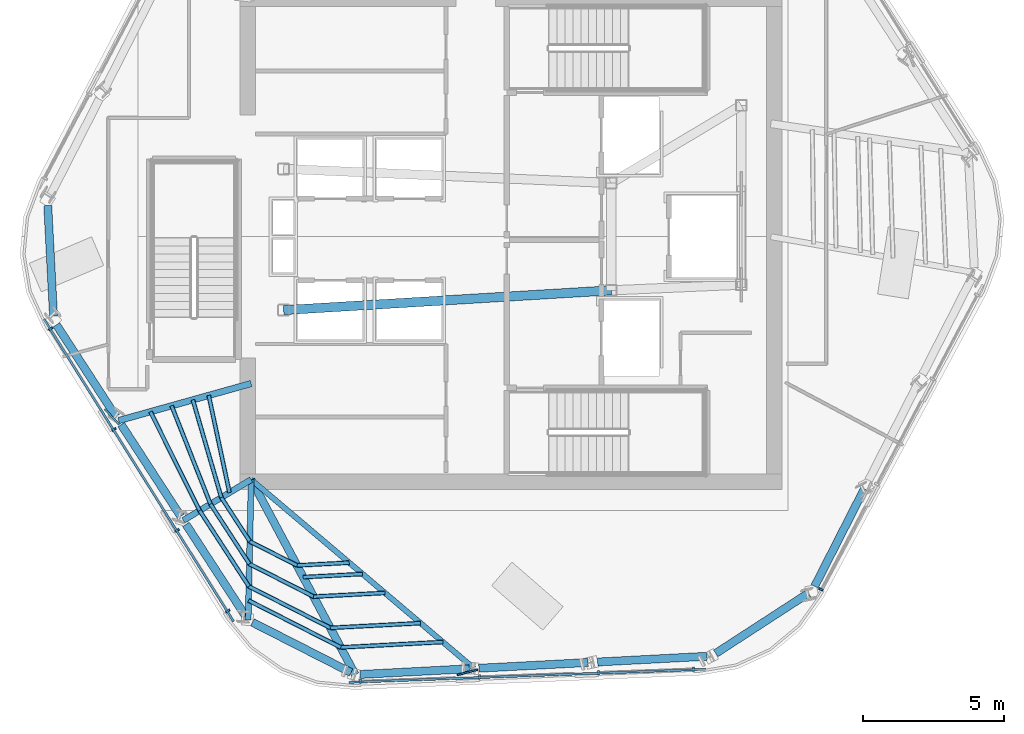
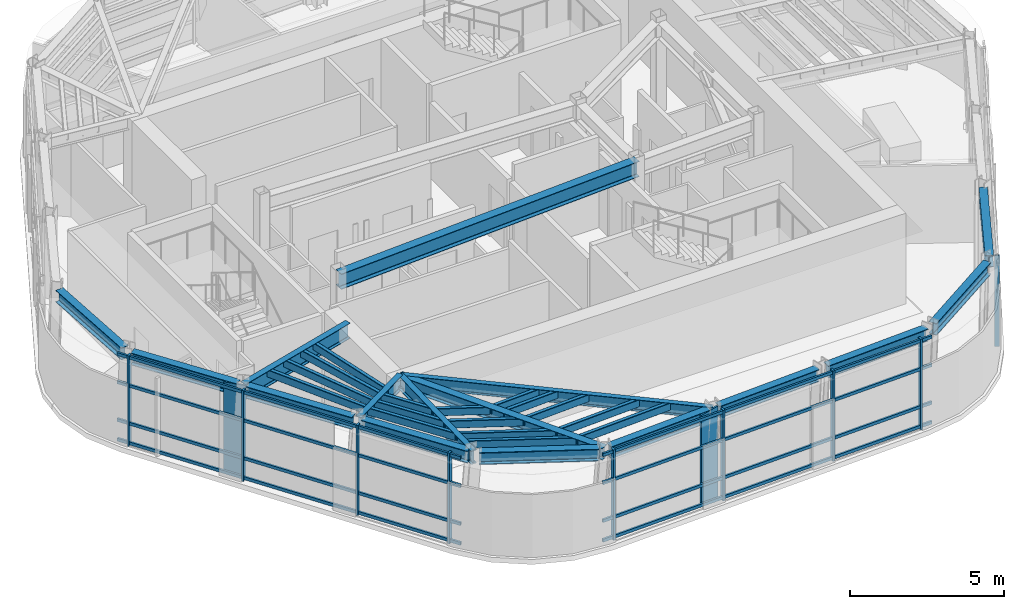
# One storey, part 2 of 13: 35 members, 16 beams, 3 elements without a shape of their own.
"""IFC4 building model written with IfcOpenShell, lengths in metres."""

from ifc_helpers import new_model, si_unit, direction, frame, origin, origin_2d, place, context, subcontext, project, spatial, rectangle, hollow_rectangle, i_section, extrude, material, layer, layer_set, material_profile, profile_set, type_object, element, aggregate, save


model = new_model("IFC4")

# Units and contexts
model_context = context("Model", 3, precision=1e-05, world=origin(), true_north=direction((0.0, 1.0)))
body_context = subcontext(model_context, "Body", "Model", "MODEL_VIEW")
ifc_project = project(units=[si_unit("LENGTHUNIT", "METRE"), si_unit("AREAUNIT", "SQUARE_METRE"), si_unit("VOLUMEUNIT", "CUBIC_METRE"), si_unit("PLANEANGLEUNIT", "RADIAN"), si_unit("MASSUNIT", "GRAM", prefix="KILO")], contexts=[model_context])

# Site, building, storey
site_placement = place(None, origin())
site = spatial("IfcSite", under=ifc_project, at=site_placement, CompositionType="ELEMENT")
building_placement = place(site_placement, origin())
building = spatial("IfcBuilding", under=site, at=building_placement, Name="Valkerne Bourse Tower", CompositionType="ELEMENT")
storey_placement = place(building_placement, frame((0.0, 0.0, 292.60009765625)))
storey = spatial("IfcBuildingStorey", under=building, at=storey_placement, Name="L74", CompositionType="ELEMENT", Elevation=292.60009765625)

# Beams
ifc_material_1 = material(Name="Steel ASTM A992", Category="steel")
ifc_material_profile_1 = material_profile(ifc_material_1, i_section(OverallWidth=0.284423828125, OverallDepth=0.47509765625, WebThickness=0.014892578125, FlangeThickness=0.02392578125, FilletRadius=0.017822265625, at=origin_2d()), Name="W18X106")
ifc_profile_set_1 = profile_set([ifc_material_profile_1], Name="Steel ASTM A992")
beam_type_1 = type_object("IfcBeamType", Name="BM-W18X106", PredefinedType="BEAM", material=ifc_profile_set_1)
beam_1_placement = place(storey_placement, frame((30.3984375, 28.100830078125, 3.3623046875), z_axis=(0.05231338486, -0.998630717415, 0.0), x_axis=(0.998630717415, 0.05231338486, 0.0)))
element("IfcBeam", 1, at=beam_1_placement, inside=storey, type_object=beam_type_1, Name="L74 Hexagonal Spandrel Ring Beam 07", PredefinedType="BEAM", context=body_context, shape_type="SweptSolid", body=[
    extrude(i_section(OverallWidth=0.284423828125, OverallDepth=0.47509765625, WebThickness=0.014892578125, FlangeThickness=0.02392578125, FilletRadius=0.017822265625, at=origin_2d()), origin(), (0.0, 0.0, 1.0), 3.91552734375),
])
for number, where, z_axis, x_axis, name in (
    (2, (30.704833984375, 23.87841796875, 3.3623046875), (0.544649217695, -0.838663955148, 0.0), (0.838663955148, 0.544649217695, 0.0), "L74 Hexagonal Spandrel Ring Beam 08"),
    (3, (32.998779296875, 20.345703125, 3.3623046875), (0.544649217695, -0.838663955148, 0.0), (0.838663955148, 0.544649217695, 0.0), "L74 Hexagonal Spandrel Ring Beam 09"),
):
    element("IfcBeam", number, at=place(storey_placement, frame(where, z_axis=z_axis, x_axis=x_axis)), inside=storey, type_object=beam_type_1, Name=name, PredefinedType="BEAM", context=body_context, shape_type="SweptSolid", body=[
        extrude(i_section(OverallWidth=0.284423828125, OverallDepth=0.47509765625, WebThickness=0.014892578125, FlangeThickness=0.02392578125, FilletRadius=0.017822265625, at=origin_2d()), origin(), (0.0, 0.0, 1.0), 3.8720703125),
    ])
beam_2_placement = place(storey_placement, frame((35.29296875, 16.813232421875, 3.3623046875), z_axis=(0.544604866839, -0.838692756029, 0.0), x_axis=(0.838692756029, 0.544604866839, 0.0)))
element("IfcBeam", 4, at=beam_2_placement, inside=storey, type_object=beam_type_1, Name="L74 Hexagonal Spandrel Ring Beam 10", PredefinedType="BEAM", context=body_context, shape_type="SweptSolid", body=[
    extrude(i_section(OverallWidth=0.284423828125, OverallDepth=0.47509765625, WebThickness=0.014892578125, FlangeThickness=0.02392578125, FilletRadius=0.017822265625, at=origin_2d()), origin(), (0.0, 0.0, 1.0), 3.871826171875),
])
beam_3_placement = place(storey_placement, frame((37.645751953125, 13.34619140625, 3.3623046875), z_axis=(0.891009517334, -0.453984625312, 0.0), x_axis=(0.453984625312, 0.891009517334, 0.0)))
element("IfcBeam", 5, at=beam_3_placement, inside=storey, type_object=beam_type_1, Name="L74 Hexagonal Spandrel Ring Beam 11", PredefinedType="BEAM", context=body_context, shape_type="SweptSolid", body=[
    extrude(i_section(OverallWidth=0.284423828125, OverallDepth=0.47509765625, WebThickness=0.014892578125, FlangeThickness=0.02392578125, FilletRadius=0.017822265625, at=origin_2d()), origin(), (0.0, 0.0, 1.0), 3.91552734375),
])
for number, where, z_axis, x_axis, name in (
    (6, (41.455810546875, 11.500244140625, 3.3623046875), (0.998629648141, 0.052333792648, 0.0), (-0.052333792648, 0.998629648141, 0.0), "L74 Hexagonal Spandrel Ring Beam 12"),
    (7, (45.662109375, 11.720703125, 3.3623046875), (0.998629648141, 0.052333792648, 0.0), (-0.052333792648, 0.998629648141, 0.0), "L74 Hexagonal Spandrel Ring Beam 13"),
    (8, (49.868408203125, 11.941162109375, 3.3623046875), (0.998629648141, 0.052333792648, 0.0), (-0.052333792648, 0.998629648141, 0.0), "L74 Hexagonal Spandrel Ring Beam 14"),
):
    element("IfcBeam", number, at=place(storey_placement, frame(where, z_axis=z_axis, x_axis=x_axis)), inside=storey, type_object=beam_type_1, Name=name, PredefinedType="BEAM", context=body_context, shape_type="SweptSolid", body=[
        extrude(i_section(OverallWidth=0.284423828125, OverallDepth=0.47509765625, WebThickness=0.014892578125, FlangeThickness=0.02392578125, FilletRadius=0.017822265625, at=origin_2d()), origin(), (0.0, 0.0, 1.0), 3.8720703125),
    ])
beam_4_placement = place(storey_placement, frame((54.04736328125, 12.245361328125, 3.3623046875), z_axis=(0.838675738052, 0.544631073666, 0.0), x_axis=(-0.544631073666, 0.838675738052, 0.0)))
element("IfcBeam", 9, at=beam_4_placement, inside=storey, type_object=beam_type_1, Name="L74 Hexagonal Spandrel Ring Beam 15", PredefinedType="BEAM", context=body_context, shape_type="SweptSolid", body=[
    extrude(i_section(OverallWidth=0.284423828125, OverallDepth=0.47509765625, WebThickness=0.014892578125, FlangeThickness=0.02392578125, FilletRadius=0.017822265625, at=origin_2d()), origin(), (0.0, 0.0, 1.0), 3.91552734375),
])
beam_5_placement = place(storey_placement, frame((57.551025390625, 14.6220703125, 3.3623046875), z_axis=(0.453985287381, 0.891009179998, 0.0), x_axis=(-0.891009179998, 0.453985287381, 0.0)))
element("IfcBeam", 10, at=beam_5_placement, inside=storey, type_object=beam_type_1, Name="L74 Hexagonal Spandrel Ring Beam 16", PredefinedType="BEAM", context=body_context, shape_type="SweptSolid", body=[
    extrude(i_section(OverallWidth=0.284423828125, OverallDepth=0.47509765625, WebThickness=0.014892578125, FlangeThickness=0.02392578125, FilletRadius=0.017822265625, at=origin_2d()), origin(), (0.0, 0.0, 1.0), 3.8720703125),
])
ifc_material_profile_2 = material_profile(ifc_material_1, i_section(OverallWidth=0.1904296875, OverallDepth=0.457275390625, WebThickness=0.009033203125, FlangeThickness=0.014404296875, FilletRadius=0.01513671875, at=origin_2d()), Name="W18X50")
ifc_profile_set_2 = profile_set([ifc_material_profile_2], Name="Steel ASTM A992")
beam_type_2 = type_object("IfcBeamType", Name="BM-W18X50", PredefinedType="JOIST", material=ifc_profile_set_2)
beam_6_placement = place(storey_placement, frame((45.4921875, 11.7119140625, 3.371337890625), z_axis=(-0.762906254384, 0.646509123696, 0.0), x_axis=(-0.646509123696, -0.762906254384, 0.0)))
element("IfcBeam", 11, at=beam_6_placement, inside=storey, type_object=beam_type_2, Name="L74 Radial Composite Floor Beam 13", PredefinedType="JOIST", context=body_context, shape_type="SweptSolid", body=[
    extrude(i_section(OverallWidth=0.1904296875, OverallDepth=0.457275390625, WebThickness=0.009033203125, FlangeThickness=0.014404296875, FilletRadius=0.01513671875, at=origin_2d()), origin(), (0.0, 0.0, 1.0), 10.3447265625),
])
ifc_material_profile_3 = material_profile(ifc_material_1, i_section(OverallWidth=0.279296875, OverallDepth=0.46240234375, WebThickness=0.0107421875, FlangeThickness=0.017333984375, FilletRadius=0.017822265625, at=origin_2d()), Name="W18X76")
ifc_profile_set_3 = profile_set([ifc_material_profile_3], Name="Steel ASTM A992")
beam_type_3 = type_object("IfcBeamType", Name="BM-W18X76", PredefinedType="BEAM", material=ifc_profile_set_3)
beam_7_placement = place(storey_placement, frame((41.2861328125, 11.491455078125, 3.36865234375), z_axis=(-0.470740347234, 0.882271797966, 0.0), x_axis=(-0.882271797966, -0.470740347234, 0.0)))
element("IfcBeam", 12, at=beam_7_placement, inside=storey, type_object=beam_type_3, Name="L74 Radial Composite Floor Beam 12", PredefinedType="BEAM", context=body_context, shape_type="SweptSolid", body=[
    extrude(i_section(OverallWidth=0.279296875, OverallDepth=0.46240234375, WebThickness=0.0107421875, FlangeThickness=0.017333984375, FilletRadius=0.017822265625, at=origin_2d()), origin(), (0.0, 0.0, 1.0), 7.830322265625),
])
ifc_material_profile_4 = material_profile(ifc_material_1, i_section(OverallWidth=0.209228515625, OverallDepth=0.533447265625, WebThickness=0.01025390625, FlangeThickness=0.015625, FilletRadius=0.017822265625, at=origin_2d()), Name="W21X62")
ifc_profile_set_4 = profile_set([ifc_material_profile_4], Name="Steel ASTM A992")
beam_type_4 = type_object("IfcBeamType", Name="BM-W21X62", PredefinedType="JOIST", material=ifc_profile_set_4)
beam_8_placement = place(storey_placement, frame((37.494384765625, 13.42333984375, 3.333251953125), z_axis=(0.021237359791, 0.999774461841, 0.0), x_axis=(-0.999774461841, 0.021237359791, 0.0)))
element("IfcBeam", 13, at=beam_8_placement, inside=storey, type_object=beam_type_4, Name="L74 Radial Composite Floor Beam 11", PredefinedType="JOIST", context=body_context, shape_type="SweptSolid", body=[
    extrude(i_section(OverallWidth=0.209228515625, OverallDepth=0.533447265625, WebThickness=0.01025390625, FlangeThickness=0.015625, FilletRadius=0.017822265625, at=origin_2d()), origin(), (0.0, 0.0, 1.0), 4.977783203125),
])
ifc_material_profile_5 = material_profile(ifc_material_1, i_section(OverallWidth=0.2138671875, OverallDepth=0.548583984375, WebThickness=0.0146484375, FlangeThickness=0.023681640625, FilletRadius=0.017822265625, at=origin_2d()), Name="W21X93")
ifc_profile_set_5 = profile_set([ifc_material_profile_5], Name="Steel ASTM A992")
beam_type_5 = type_object("IfcBeamType", Name="BM-W21X93", PredefinedType="BEAM", material=ifc_profile_set_5)
beam_9_placement = place(storey_placement, frame((35.2001953125, 16.955810546875, 3.32568359375), z_axis=(0.856838490992, 0.515584910907, 0.0), x_axis=(-0.515584910907, 0.856838490992, 0.0)))
element("IfcBeam", 14, at=beam_9_placement, inside=storey, type_object=beam_type_5, Name="L74 Radial Composite Floor Beam 10", PredefinedType="BEAM", context=body_context, shape_type="SweptSolid", body=[
    extrude(i_section(OverallWidth=0.2138671875, OverallDepth=0.548583984375, WebThickness=0.0146484375, FlangeThickness=0.023681640625, FilletRadius=0.017822265625, at=origin_2d()), origin(), (0.0, 0.0, 1.0), 2.80078125),
])
ifc_material_profile_6 = material_profile(ifc_material_1, i_section(OverallWidth=0.3251953125, OverallDepth=0.612060546875, WebThickness=0.0126953125, FlangeThickness=0.01904296875, FilletRadius=0.020263671875, at=origin_2d()), Name="W24X104")
ifc_profile_set_6 = profile_set([ifc_material_profile_6], Name="Steel ASTM A992")
beam_type_6 = type_object("IfcBeamType", Name="BM-W24X104", PredefinedType="BEAM", material=ifc_profile_set_6)
beam_10_placement = place(storey_placement, frame((38.75, 24.39990234375, 3.293701171875), z_axis=(0.998183228389, 0.060251494276, 0.0), x_axis=(-0.060251494276, 0.998183228389, 0.0)))
element("IfcBeam", 15, at=beam_10_placement, inside=storey, type_object=beam_type_6, Name="L74 Core Frame Girder CG-SW", PredefinedType="BEAM", context=body_context, shape_type="SweptSolid", body=[
    extrude(i_section(OverallWidth=0.3251953125, OverallDepth=0.612060546875, WebThickness=0.0126953125, FlangeThickness=0.01904296875, FilletRadius=0.020263671875, at=origin_2d()), origin(), (0.0, 0.0, 1.0), 11.62109375),
])
ifc_material_profile_7 = material_profile(ifc_material_1, i_section(OverallWidth=0.228271484375, OverallDepth=0.607177734375, WebThickness=0.01123046875, FlangeThickness=0.017333984375, FilletRadius=0.017822265625, at=origin_2d()), Name="W24X76")
ifc_profile_set_7 = profile_set([ifc_material_profile_7], Name="Steel ASTM A992")
beam_type_7 = type_object("IfcBeamType", Name="BM-W24X76", PredefinedType="JOIST", material=ifc_profile_set_7)
beam_11_placement = place(storey_placement, frame((32.90625, 20.48828125, 3.29638671875), z_axis=(0.963097607849, 0.26915236903, 0.0), x_axis=(-0.26915236903, 0.963097607849, 0.0)))
element("IfcBeam", 16, at=beam_11_placement, inside=storey, type_object=beam_type_7, Name="L74 Radial Composite Floor Beam 09", PredefinedType="JOIST", context=body_context, shape_type="SweptSolid", body=[
    extrude(i_section(OverallWidth=0.228271484375, OverallDepth=0.607177734375, WebThickness=0.01123046875, FlangeThickness=0.017333984375, FilletRadius=0.017822265625, at=origin_2d()), origin(), (0.0, 0.0, 1.0), 4.873779296875),
])

# Curtain wall, members
ifc_material_2 = material(Name="Aluminium AA 6063-T6", Category="aluminium")
ifc_layer = layer(ifc_material_2, 0.2451171875)
ifc_layer_set = layer_set([ifc_layer], Name="Aluminium AA 6063-T6")
curtain_wall_type = type_object("IfcCurtainWallType", Name="CW-05", PredefinedType="NOTDEFINED", material=ifc_layer_set)
curtain_wall_1_placement = place(storey_placement, origin())
curtain_wall_1 = element("IfcCurtainWall", 17, at=curtain_wall_1_placement, inside=storey, type_object=curtain_wall_type, Name="L74 Hexagonal Stick Curtain Wall Face 3", PredefinedType="NOTDEFINED")
ifc_material_profile_8 = material_profile(ifc_material_2, rectangle(XDim=0.074951171875, YDim=0.159912109375, at=origin_2d()), Name="CWM-75X160")
ifc_profile_set_8 = profile_set([ifc_material_profile_8], Name="Aluminium AA 6063-T6")
member_type_1 = type_object("IfcMemberType", Name="CW-MUL-160X75", PredefinedType="MULLION", material=ifc_profile_set_8)
member_1_placement = place(storey_placement, frame((30.502685546875, 23.739013671875, 0.0), z_axis=(0.0, 0.0, 1.0), x_axis=(0.531404557773, -0.847118171201, 0.0)))
member_1 = element("IfcMember", 18, at=member_1_placement, type_object=member_type_1, Name="CW-L74-F3 Jamb Mullion 00A", PredefinedType="MULLION", context=body_context, shape_type="SweptSolid", body=[
    extrude(rectangle(XDim=0.074951171875, YDim=0.159912109375, at=origin_2d()), origin(), (0.0, 0.0, 1.0), 3.599853515625),
])
member_2_placement = place(storey_placement, frame((32.740966796875, 20.1708984375, 0.0), z_axis=(0.0, 0.0, 1.0), x_axis=(0.531398207984, -0.847122154445, 0.0)))
member_2 = element("IfcMember", 19, at=member_2_placement, type_object=member_type_1, Name="CW-L74-F3 Jamb Mullion 01A", PredefinedType="MULLION", context=body_context, shape_type="SweptSolid", body=[
    extrude(rectangle(XDim=0.074951171875, YDim=0.159912109375, at=origin_2d()), origin(), (0.0, 0.0, 1.0), 3.599853515625),
])
member_3_placement = place(storey_placement, frame((34.97900390625, 16.602783203125, 0.0), z_axis=(0.0, 0.0, 1.0), x_axis=(0.531404557773, -0.847118171201, 0.0)))
member_3 = element("IfcMember", 20, at=member_3_placement, type_object=member_type_1, Name="CW-L74-F3 Jamb Mullion 02A", PredefinedType="MULLION", context=body_context, shape_type="SweptSolid", body=[
    extrude(rectangle(XDim=0.074951171875, YDim=0.159912109375, at=origin_2d()), origin(), (0.0, 0.0, 1.0), 3.599853515625),
])
member_4_placement = place(storey_placement, frame((36.77099609375, 13.746337890625, 0.0), z_axis=(0.0, 0.0, 1.0), x_axis=(0.531404557773, -0.847118171201, 0.0)))
member_4 = element("IfcMember", 21, at=member_4_placement, type_object=member_type_1, Name="CW-L74-F3 Jamb Mullion 02B", PredefinedType="MULLION", context=body_context, shape_type="SweptSolid", body=[
    extrude(rectangle(XDim=0.074951171875, YDim=0.159912109375, at=origin_2d()), origin(), (0.0, 0.0, 1.0), 3.599853515625),
])

curtain_wall_2_placement = place(storey_placement, origin())
curtain_wall_2 = element("IfcCurtainWall", 22, at=curtain_wall_2_placement, inside=storey, type_object=curtain_wall_type, Name="L74 Hexagonal Stick Curtain Wall Face 4", PredefinedType="NOTDEFINED")
member_5_placement = place(storey_placement, frame((41.475341796875, 11.255615234375, 0.0), z_axis=(0.0, 0.0, 1.0), x_axis=(0.999327909938, 0.036656901385, 0.0)))
member_5 = element("IfcMember", 23, at=member_5_placement, type_object=member_type_1, Name="CW-L74-F4 Jamb Mullion 00A", PredefinedType="MULLION", context=body_context, shape_type="SweptSolid", body=[
    extrude(rectangle(XDim=0.074951171875, YDim=0.159912109375, at=origin_2d()), origin(), (0.0, 0.0, 1.0), 3.599853515625),
])
member_6_placement = place(storey_placement, frame((45.6845703125, 11.409912109375, 0.0), z_axis=(0.0, 0.0, 1.0), x_axis=(0.999328747501, 0.0366340609, 0.0)))
member_6 = element("IfcMember", 24, at=member_6_placement, type_object=member_type_1, Name="CW-L74-F4 Jamb Mullion 01A", PredefinedType="MULLION", context=body_context, shape_type="SweptSolid", body=[
    extrude(rectangle(XDim=0.074951171875, YDim=0.159912109375, at=origin_2d()), origin(), (0.0, 0.0, 1.0), 3.599853515625),
])
member_7_placement = place(storey_placement, frame((49.893798828125, 11.564208984375, 0.0), z_axis=(0.0, 0.0, 1.0), x_axis=(0.999327909938, 0.036656901385, 0.0)))
member_7 = element("IfcMember", 25, at=member_7_placement, type_object=member_type_1, Name="CW-L74-F4 Jamb Mullion 02A", PredefinedType="MULLION", context=body_context, shape_type="SweptSolid", body=[
    extrude(rectangle(XDim=0.074951171875, YDim=0.159912109375, at=origin_2d()), origin(), (0.0, 0.0, 1.0), 3.599853515625),
])
member_8_placement = place(storey_placement, frame((53.263427734375, 11.687744140625, 0.0), z_axis=(0.0, 0.0, 1.0), x_axis=(0.999327909938, 0.036656901385, 0.0)))
member_8 = element("IfcMember", 26, at=member_8_placement, type_object=member_type_1, Name="CW-L74-F4 Jamb Mullion 02B", PredefinedType="MULLION", context=body_context, shape_type="SweptSolid", body=[
    extrude(rectangle(XDim=0.074951171875, YDim=0.159912109375, at=origin_2d()), origin(), (0.0, 0.0, 1.0), 3.599853515625),
])

# Curtain wall, member
curtain_wall_3_placement = place(storey_placement, origin())
curtain_wall_3 = element("IfcCurtainWall", 27, at=curtain_wall_3_placement, inside=storey, type_object=curtain_wall_type, Name="L74 Hexagonal Stick Curtain Wall Face 5", PredefinedType="NOTDEFINED")
member_9_placement = place(storey_placement, frame((57.772705078125, 14.5166015625, 0.0), z_axis=(0.0, 0.0, 1.0), x_axis=(0.467946624174, 0.883756729493, 0.0)))
member_9 = element("IfcMember", 28, at=member_9_placement, type_object=member_type_1, Name="CW-L74-F5 Jamb Mullion 00A", PredefinedType="MULLION", context=body_context, shape_type="SweptSolid", body=[
    extrude(rectangle(XDim=0.074951171875, YDim=0.159912109375, at=origin_2d()), origin(), (0.0, 0.0, 1.0), 3.599853515625),
])
aggregate(curtain_wall_3, [member_9])

# Member
ifc_material_profile_9 = material_profile(ifc_material_2, rectangle(XDim=0.074951171875, YDim=0.1201171875, at=origin_2d()), Name="CWT-75X120")
ifc_profile_set_9 = profile_set([ifc_material_profile_9], Name="Aluminium AA 6063-T6")
member_type_2 = type_object("IfcMemberType", Name="CW-TRN-120X75", PredefinedType="USERDEFINED", material=ifc_profile_set_9)
member_10_placement = place(storey_placement, frame((30.262451171875, 24.084228515625, 0.119873046875), z_axis=(0.531399735144, -0.847121196458, 0.0), x_axis=(0.847121196458, 0.531399735144, 0.0)))
member_10 = element("IfcMember", 29, at=member_10_placement, type_object=member_type_2, Name="CW-L74-F3 Continuous Face Transom 1", ObjectType="TRANSOM", PredefinedType="USERDEFINED", context=body_context, shape_type="SweptSolid", body=[
    extrude(rectangle(XDim=0.074951171875, YDim=0.1201171875, at=origin_2d()), origin(), (0.0, 0.0, 1.0), 12.63623046875),
])

member_11_placement = place(storey_placement, frame((30.262451171875, 24.084228515625, 0.89990234375), z_axis=(0.531399735144, -0.847121196458, 0.0), x_axis=(0.847121196458, 0.531399735144, 0.0)))
member_11 = element("IfcMember", 30, at=member_11_placement, type_object=member_type_2, Name="CW-L74-F3 Continuous Face Transom 2", ObjectType="TRANSOM", PredefinedType="USERDEFINED", context=body_context, shape_type="SweptSolid", body=[
    extrude(rectangle(XDim=0.074951171875, YDim=0.1201171875, at=origin_2d()), origin(), (0.0, 0.0, 1.0), 12.63623046875),
])

member_12_placement = place(storey_placement, frame((30.262451171875, 24.084228515625, 2.39990234375), z_axis=(0.531399735144, -0.847121196458, 0.0), x_axis=(0.847121196458, 0.531399735144, 0.0)))
member_12 = element("IfcMember", 31, at=member_12_placement, type_object=member_type_2, Name="CW-L74-F3 Continuous Face Transom 3", ObjectType="TRANSOM", PredefinedType="USERDEFINED", context=body_context, shape_type="SweptSolid", body=[
    extrude(rectangle(XDim=0.074951171875, YDim=0.1201171875, at=origin_2d()), origin(), (0.0, 0.0, 1.0), 12.63623046875),
])

member_13_placement = place(storey_placement, frame((30.262451171875, 24.084228515625, 3.52001953125), z_axis=(0.531399735144, -0.847121196458, 0.0), x_axis=(0.847121196458, 0.531399735144, 0.0)))
member_13 = element("IfcMember", 32, at=member_13_placement, type_object=member_type_2, Name="CW-L74-F3 Continuous Face Transom 4", ObjectType="TRANSOM", PredefinedType="USERDEFINED", context=body_context, shape_type="SweptSolid", body=[
    extrude(rectangle(XDim=0.074951171875, YDim=0.1201171875, at=origin_2d()), origin(), (0.0, 0.0, 1.0), 12.63623046875),
])

aggregate(curtain_wall_1, [member_10, member_11, member_12, member_13, member_1, member_2, member_3, member_4])

member_14_placement = place(storey_placement, frame((41.056396484375, 11.22021484375, 0.119873046875), z_axis=(0.999328789681, 0.036632910275, 0.0), x_axis=(-0.036632910275, 0.999328789681, 0.0)))
member_14 = element("IfcMember", 33, at=member_14_placement, type_object=member_type_2, Name="CW-L74-F4 Continuous Face Transom 1", ObjectType="TRANSOM", PredefinedType="USERDEFINED", context=body_context, shape_type="SweptSolid", body=[
    extrude(rectangle(XDim=0.074951171875, YDim=0.1201171875, at=origin_2d()), origin(), (0.0, 0.0, 1.0), 12.635986328125),
])

member_15_placement = place(storey_placement, frame((41.056396484375, 11.22021484375, 0.89990234375), z_axis=(0.999328789681, 0.036632910275, 0.0), x_axis=(-0.036632910275, 0.999328789681, 0.0)))
member_15 = element("IfcMember", 34, at=member_15_placement, type_object=member_type_2, Name="CW-L74-F4 Continuous Face Transom 2", ObjectType="TRANSOM", PredefinedType="USERDEFINED", context=body_context, shape_type="SweptSolid", body=[
    extrude(rectangle(XDim=0.074951171875, YDim=0.1201171875, at=origin_2d()), origin(), (0.0, 0.0, 1.0), 12.635986328125),
])

member_16_placement = place(storey_placement, frame((41.056396484375, 11.22021484375, 2.39990234375), z_axis=(0.999328789681, 0.036632910275, 0.0), x_axis=(-0.036632910275, 0.999328789681, 0.0)))
member_16 = element("IfcMember", 35, at=member_16_placement, type_object=member_type_2, Name="CW-L74-F4 Continuous Face Transom 3", ObjectType="TRANSOM", PredefinedType="USERDEFINED", context=body_context, shape_type="SweptSolid", body=[
    extrude(rectangle(XDim=0.074951171875, YDim=0.1201171875, at=origin_2d()), origin(), (0.0, 0.0, 1.0), 12.635986328125),
])

member_17_placement = place(storey_placement, frame((41.056396484375, 11.22021484375, 3.52001953125), z_axis=(0.999328789681, 0.036632910275, 0.0), x_axis=(-0.036632910275, 0.999328789681, 0.0)))
member_17 = element("IfcMember", 36, at=member_17_placement, type_object=member_type_2, Name="CW-L74-F4 Continuous Face Transom 4", ObjectType="TRANSOM", PredefinedType="USERDEFINED", context=body_context, shape_type="SweptSolid", body=[
    extrude(rectangle(XDim=0.074951171875, YDim=0.1201171875, at=origin_2d()), origin(), (0.0, 0.0, 1.0), 12.635986328125),
])

aggregate(curtain_wall_2, [member_14, member_15, member_16, member_17, member_5, member_6, member_7, member_8])

# Members
ifc_material_3 = material(Name="Bronze Anodised Aluminium AA 6063-T6", Category="aluminium")
ifc_material_profile_10 = material_profile(ifc_material_3, rectangle(XDim=0.06494140625, YDim=0.75, at=origin_2d()), Name="FIN-65X750")
ifc_profile_set_10 = profile_set([ifc_material_profile_10], Name="Bronze Anodised Aluminium AA 6063-T6")
member_type_3 = type_object("IfcMemberType", Name="FIN-SOLAR-650", PredefinedType="USERDEFINED", material=ifc_profile_set_10)
for number, where, z_axis, x_axis, name in (
    (37, (32.670166015625, 20.622314453125, 0.00390625), (0.0, 0.0, 1.0), (-0.727825944384, -0.685761908159, 0.0), "L74 Bronze Anodised Solar Fin F3-01"),
    (38, (45.25830078125, 11.574462890625, 0.00390625), (0.0, 0.0, 1.0), (0.258431290944, -0.966029641295, 0.0), "L74 Bronze Anodised Solar Fin F4-01"),
):
    element("IfcMember", number, at=place(storey_placement, frame(where, z_axis=z_axis, x_axis=x_axis)), inside=storey, type_object=member_type_3, Name=name, ObjectType="SOLAR_FIN", PredefinedType="USERDEFINED", context=body_context, shape_type="SweptSolid", body=[
        extrude(rectangle(XDim=0.06494140625, YDim=0.75, at=origin_2d()), origin(), (0.0, 0.0, 1.0), 3.592041015625),
    ])
ifc_material_4 = material(Name="Steel ASTM A500 Grade C", Category="steel")
ifc_material_profile_11 = material_profile(ifc_material_4, hollow_rectangle(XDim=0.14990234375, YDim=0.300048828125, WallThickness=0.012451171875, OuterFilletRadius=0.02490234375, at=origin_2d()), Name="HSS300X150X12.5")
ifc_profile_set_11 = profile_set([ifc_material_profile_11], Name="Steel ASTM A500 Grade C")
member_type_4 = type_object("IfcMemberType", Name="MBR-HSS300X150X12.5", PredefinedType="PURLIN", material=ifc_profile_set_11)
member_18_placement = place(storey_placement, frame((36.097900390625, 21.38037109375, 3.43994140625), z_axis=(0.20857212843, -0.978006987318, 0.0), x_axis=(0.978006987318, 0.20857212843, 0.0)))
element("IfcMember", 39, at=member_18_placement, inside=storey, type_object=member_type_4, Name="L74 Secondary Composite Floor Purlin I-09", PredefinedType="PURLIN", context=body_context, shape_type="SweptSolid", body=[
    extrude(hollow_rectangle(XDim=0.14990234375, YDim=0.300048828125, WallThickness=0.012451171875, OuterFilletRadius=0.02490234375, at=origin_2d()), origin(), (0.0, 0.0, 1.0), 3.519775390625),
])
member_19_placement = place(storey_placement, frame((35.53466796875, 21.222900390625, 3.43994140625), z_axis=(0.28022118772, -0.959935459264, 0.0), x_axis=(0.959935459264, 0.28022118772, 0.0)))
element("IfcMember", 40, at=member_19_placement, inside=storey, type_object=member_type_4, Name="L74 Secondary Composite Floor Purlin K-09", PredefinedType="PURLIN", context=body_context, shape_type="SweptSolid", body=[
    extrude(hollow_rectangle(XDim=0.14990234375, YDim=0.300048828125, WallThickness=0.012451171875, OuterFilletRadius=0.02490234375, at=origin_2d()), origin(), (0.0, 0.0, 1.0), 3.6025390625),
])
member_20_placement = place(storey_placement, frame((36.544189453125, 17.7646484375, 3.43994140625), z_axis=(0.544566934768, -0.838717385987, 0.0), x_axis=(0.838717385987, 0.544566934768, 0.0)))
element("IfcMember", 41, at=member_20_placement, inside=storey, type_object=member_type_4, Name="L74 Secondary Composite Floor Purlin K-10", PredefinedType="PURLIN", context=body_context, shape_type="SweptSolid", body=[
    extrude(hollow_rectangle(XDim=0.14990234375, YDim=0.300048828125, WallThickness=0.012451171875, OuterFilletRadius=0.02490234375, at=origin_2d()), origin(), (0.0, 0.0, 1.0), 1.853271484375),
])
member_21_placement = place(storey_placement, frame((37.553466796875, 16.210205078125, 3.43994140625), z_axis=(0.891011635742, -0.453980467611, 0.0), x_axis=(0.453980467611, 0.891011635742, 0.0)))
element("IfcMember", 42, at=member_21_placement, inside=storey, type_object=member_type_4, Name="L74 Secondary Composite Floor Purlin K-11", PredefinedType="PURLIN", context=body_context, shape_type="SweptSolid", body=[
    extrude(hollow_rectangle(XDim=0.14990234375, YDim=0.300048828125, WallThickness=0.012451171875, OuterFilletRadius=0.02490234375, at=origin_2d()), origin(), (0.0, 0.0, 1.0), 1.87255859375),
])
member_22_placement = place(storey_placement, frame((39.221923828125, 15.360107421875, 3.43994140625), z_axis=(0.998624372414, 0.052434366784, 0.0), x_axis=(-0.052434366784, 0.998624372414, 0.0)))
element("IfcMember", 43, at=member_22_placement, inside=storey, type_object=member_type_4, Name="L74 Secondary Composite Floor Purlin K-12", PredefinedType="PURLIN", context=body_context, shape_type="SweptSolid", body=[
    extrude(hollow_rectangle(XDim=0.14990234375, YDim=0.300048828125, WallThickness=0.012451171875, OuterFilletRadius=0.02490234375, at=origin_2d()), origin(), (0.0, 0.0, 1.0), 1.85302734375),
])
member_23_placement = place(storey_placement, frame((39.443115234375, 14.94580078125, 3.43994140625), z_axis=(0.998632203142, 0.052285015512, 0.0), x_axis=(-0.052285015512, 0.998632203142, 0.0)))
element("IfcMember", 44, at=member_23_placement, inside=storey, type_object=member_type_4, Name="L74 Secondary Composite Floor Purlin M-12", PredefinedType="PURLIN", context=body_context, shape_type="SweptSolid", body=[
    extrude(hollow_rectangle(XDim=0.14990234375, YDim=0.300048828125, WallThickness=0.012451171875, OuterFilletRadius=0.02490234375, at=origin_2d()), origin(), (0.0, 0.0, 1.0), 2.10595703125),
])
member_24_placement = place(storey_placement, frame((34.03271484375, 20.80322265625, 3.43994140625), z_axis=(0.445789698468, -0.895137723895, 0.0), x_axis=(0.895137723895, 0.445789698468, 0.0)))
element("IfcMember", 45, at=member_24_placement, inside=storey, type_object=member_type_4, Name="L74 Secondary Composite Floor Purlin O-09", PredefinedType="PURLIN", context=body_context, shape_type="SweptSolid", body=[
    extrude(hollow_rectangle(XDim=0.14990234375, YDim=0.300048828125, WallThickness=0.012451171875, OuterFilletRadius=0.02490234375, at=origin_2d()), origin(), (0.0, 0.0, 1.0), 3.910888671875),
])
member_25_placement = place(storey_placement, frame((35.776123046875, 17.302490234375, 3.43994140625), z_axis=(0.544698798447, -0.838631754091, 0.0), x_axis=(0.838631754091, 0.544698798447, 0.0)))
element("IfcMember", 46, at=member_25_placement, inside=storey, type_object=member_type_4, Name="L74 Secondary Composite Floor Purlin O-10", PredefinedType="PURLIN", context=body_context, shape_type="SweptSolid", body=[
    extrude(hollow_rectangle(XDim=0.14990234375, YDim=0.300048828125, WallThickness=0.012451171875, OuterFilletRadius=0.02490234375, at=origin_2d()), origin(), (0.0, 0.0, 1.0), 3.201171875),
])
member_26_placement = place(storey_placement, frame((37.519775390625, 14.617919921875, 3.43994140625), z_axis=(0.890973815069, -0.454054689286, 0.0), x_axis=(0.454054689286, 0.890973815069, 0.0)))
element("IfcMember", 47, at=member_26_placement, inside=storey, type_object=member_type_4, Name="L74 Secondary Composite Floor Purlin O-11", PredefinedType="PURLIN", context=body_context, shape_type="SweptSolid", body=[
    extrude(hollow_rectangle(XDim=0.14990234375, YDim=0.300048828125, WallThickness=0.012451171875, OuterFilletRadius=0.02490234375, at=origin_2d()), origin(), (0.0, 0.0, 1.0), 3.234130859375),
])
member_27_placement = place(storey_placement, frame((40.4013671875, 13.1494140625, 3.43994140625), z_axis=(0.998630441267, 0.05231865608, 0.0), x_axis=(-0.05231865608, 0.998630441267, 0.0)))
element("IfcMember", 48, at=member_27_placement, inside=storey, type_object=member_type_4, Name="L74 Secondary Composite Floor Purlin O-12", PredefinedType="PURLIN", context=body_context, shape_type="SweptSolid", body=[
    extrude(hollow_rectangle(XDim=0.14990234375, YDim=0.300048828125, WallThickness=0.012451171875, OuterFilletRadius=0.02490234375, at=origin_2d()), origin(), (0.0, 0.0, 1.0), 3.201171875),
])
member_28_placement = place(storey_placement, frame((34.78369140625, 21.012939453125, 3.43994140625), z_axis=(0.3678557171, -0.929882880473, 0.0), x_axis=(0.929882880473, 0.3678557171, 0.0)))
element("IfcMember", 49, at=member_28_placement, inside=storey, type_object=member_type_4, Name="L74 Secondary Composite Floor Purlin Z-09", PredefinedType="PURLIN", context=body_context, shape_type="SweptSolid", body=[
    extrude(hollow_rectangle(XDim=0.14990234375, YDim=0.300048828125, WallThickness=0.012451171875, OuterFilletRadius=0.02490234375, at=origin_2d()), origin(), (0.0, 0.0, 1.0), 3.741943359375),
])
member_29_placement = place(storey_placement, frame((36.16015625, 17.533447265625, 3.43994140625), z_axis=(0.544672512709, -0.838648826327, 0.0), x_axis=(0.838648826327, 0.544672512709, 0.0)))
element("IfcMember", 50, at=member_29_placement, inside=storey, type_object=member_type_4, Name="L74 Secondary Composite Floor Purlin Z-10", PredefinedType="PURLIN", context=body_context, shape_type="SweptSolid", body=[
    extrude(hollow_rectangle(XDim=0.14990234375, YDim=0.300048828125, WallThickness=0.012451171875, OuterFilletRadius=0.02490234375, at=origin_2d()), origin(), (0.0, 0.0, 1.0), 2.527099609375),
])
member_30_placement = place(storey_placement, frame((37.53662109375, 15.4140625, 3.43994140625), z_axis=(0.891016876188, -0.453970182224, 0.0), x_axis=(0.453970182224, 0.891016876188, 0.0)))
element("IfcMember", 51, at=member_30_placement, inside=storey, type_object=member_type_4, Name="L74 Secondary Composite Floor Purlin Z-11", PredefinedType="PURLIN", context=body_context, shape_type="SweptSolid", body=[
    extrude(hollow_rectangle(XDim=0.14990234375, YDim=0.300048828125, WallThickness=0.012451171875, OuterFilletRadius=0.02490234375, at=origin_2d()), origin(), (0.0, 0.0, 1.0), 2.553466796875),
])
member_31_placement = place(storey_placement, frame((39.811767578125, 14.2548828125, 3.43994140625), z_axis=(0.998628217706, 0.052361080971, 0.0), x_axis=(-0.052361080971, 0.998628217706, 0.0)))
element("IfcMember", 52, at=member_31_placement, inside=storey, type_object=member_type_4, Name="L74 Secondary Composite Floor Purlin Z-12", PredefinedType="PURLIN", context=body_context, shape_type="SweptSolid", body=[
    extrude(hollow_rectangle(XDim=0.14990234375, YDim=0.300048828125, WallThickness=0.012451171875, OuterFilletRadius=0.02490234375, at=origin_2d()), origin(), (0.0, 0.0, 1.0), 2.527099609375),
])
member_32_placement = place(storey_placement, frame((37.509033203125, 14.1201171875, 3.43994140625), z_axis=(0.890999277123, -0.454004722625, 0.0), x_axis=(0.454004722625, 0.890999277123, 0.0)))
element("IfcMember", 53, at=member_32_placement, inside=storey, type_object=member_type_4, Name="L74 Secondary Composite Floor Purlin T-11", PredefinedType="PURLIN", context=body_context, shape_type="SweptSolid", body=[
    extrude(hollow_rectangle(XDim=0.14990234375, YDim=0.300048828125, WallThickness=0.012451171875, OuterFilletRadius=0.02490234375, at=origin_2d()), origin(), (0.0, 0.0, 1.0), 3.659912109375),
])
member_33_placement = place(storey_placement, frame((40.77001953125, 12.45849609375, 3.43994140625), z_axis=(0.998627864824, 0.052367810688, 0.0), x_axis=(-0.052367810688, 0.998627864824, 0.0)))
element("IfcMember", 54, at=member_33_placement, inside=storey, type_object=member_type_4, Name="L74 Secondary Composite Floor Purlin T-12", PredefinedType="PURLIN", context=body_context, shape_type="SweptSolid", body=[
    extrude(hollow_rectangle(XDim=0.14990234375, YDim=0.300048828125, WallThickness=0.012451171875, OuterFilletRadius=0.02490234375, at=origin_2d()), origin(), (0.0, 0.0, 1.0), 3.622314453125),
])

save(model, "model.ifc")
